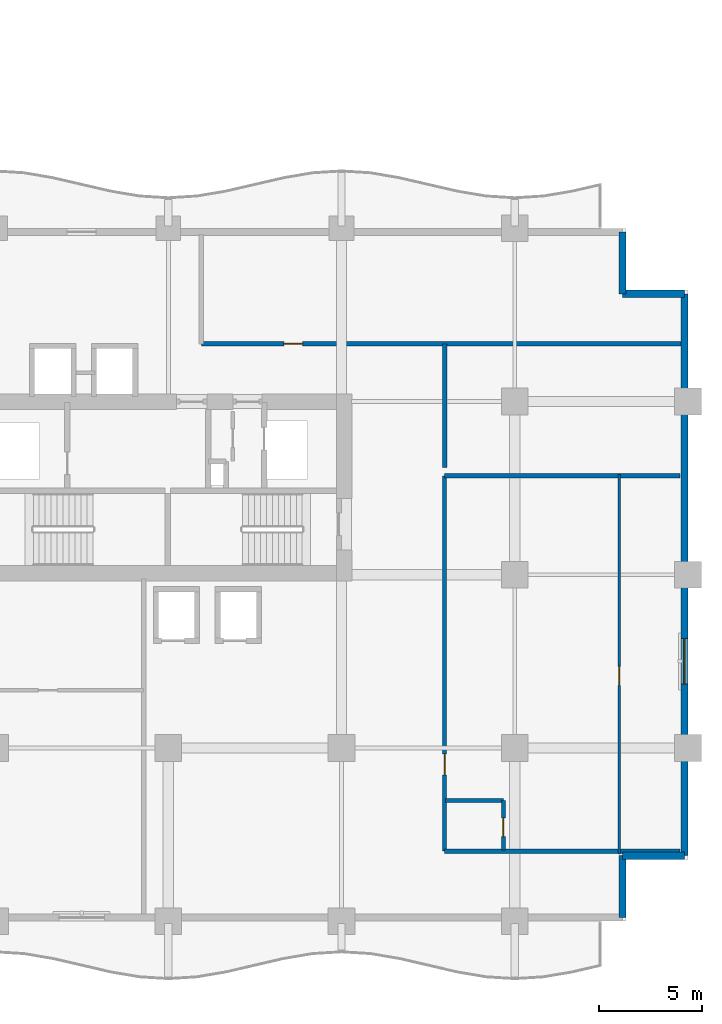
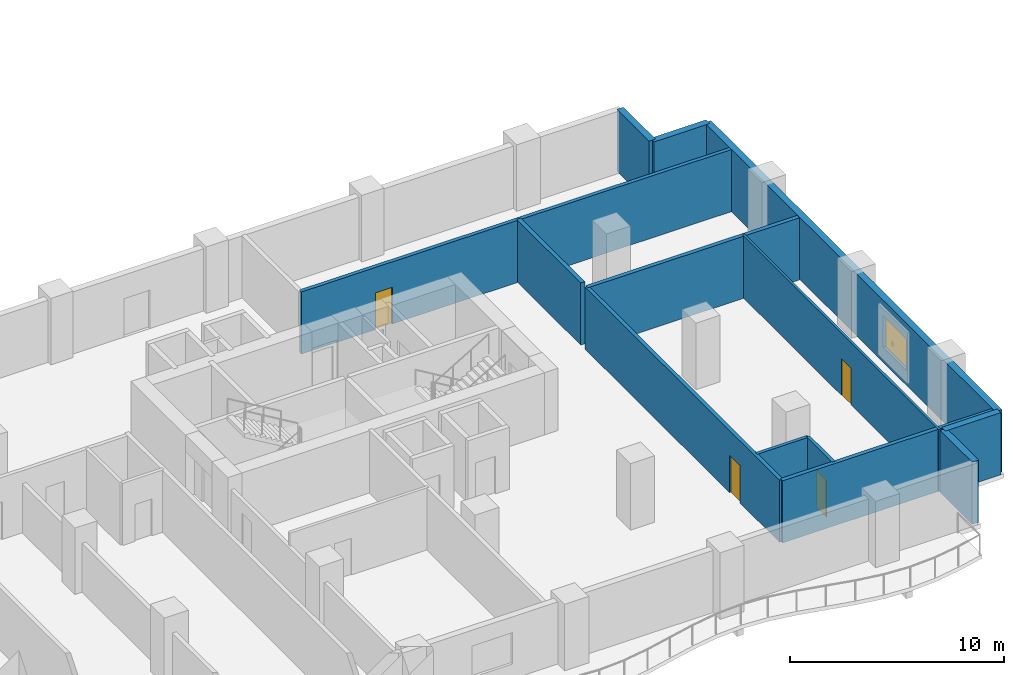
# One storey, part 12 of 20: 13 walls, 4 doors, 1 window, 5 openings.
"""IFC4 building model written with IfcOpenShell, lengths in metres."""

from ifc_helpers import new_model, si_unit, direction, frame, frame_2d, origin, place, context, subcontext, project, spatial, rectangle, extrude, material, layer, layer_set, type_object, element, fill, save


model = new_model("IFC4")

# Units and contexts
model_context = context("Model", 3, precision=1e-05, world=origin(), true_north=direction((0.0, 1.0)))
body_context = subcontext(model_context, "Body", "Model", "MODEL_VIEW")
ifc_project = project(units=[si_unit("LENGTHUNIT", "METRE"), si_unit("AREAUNIT", "SQUARE_METRE"), si_unit("VOLUMEUNIT", "CUBIC_METRE"), si_unit("PLANEANGLEUNIT", "RADIAN"), si_unit("MASSUNIT", "GRAM", prefix="KILO")], contexts=[model_context])

# Site, building, storey
site_placement = place(None, origin())
site = spatial("IfcSite", under=ifc_project, at=site_placement, CompositionType="ELEMENT")
building_placement = place(site_placement, origin())
building = spatial("IfcBuilding", under=site, at=building_placement, Name="Koriwani Terraces Tower", CompositionType="ELEMENT")
storey_placement = place(building_placement, frame((0.0, 0.0, 126.60009765625)))
storey = spatial("IfcBuildingStorey", under=building, at=storey_placement, Name="L30", CompositionType="ELEMENT", Elevation=126.60009765625)

# Wall, opening, door
ifc_material_1 = material(Name="Autoclaved Cellular Concrete Blockwork", Category="masonry")
ifc_layer_1 = layer(ifc_material_1, 0.199951171875, Name="Autoclaved Cellular Concrete Blockwork")
ifc_layer_set_1 = layer_set([ifc_layer_1], Name="Autoclaved Cellular Concrete Blockwork")
wall_type_1 = type_object("IfcWallType", Name="WALL_CORRIDOR_200", PredefinedType="PARTITIONING", material=ifc_layer_set_1)
wall_1_placement = place(storey_placement, frame((63.800048828125, 3.39990234375, 0.0), z_axis=(0.0, 0.0, 1.0), x_axis=(0.0, 1.0, 0.0)))
wall_1 = element("IfcWall", 1, at=wall_1_placement, inside=storey, type_object=wall_type_1, Name="L30 Interior Wall WGB-L30-SETIP-W", PredefinedType="PARTITIONING", context=body_context, shape_type="SweptSolid", body=[
    extrude(rectangle(XDim=18.2001953125, YDim=0.199951171875, at=frame_2d((9.10009765625, 0.0))), origin(), (0.0, 0.0, 1.0), 3.5498046875),
])
opening_1_placement = place(wall_1_placement, frame((3.699951171875, 0.0, 0.0)))
opening_1 = element("IfcOpeningElement", 2, at=opening_1_placement, cuts=wall_1, Name="Opening D-05", PredefinedType="OPENING", context=body_context, shape_type="SweptSolid", body=[
    extrude(rectangle(XDim=1.0, YDim=2.14990234375, at=frame_2d((0.5, 1.074951171875))), frame((0.0, 0.10986328125, 0.0), z_axis=(0.0, -1.0, 0.0), x_axis=(1.0, 0.0, 0.0)), (0.0, 0.0, 1.0), 0.219970703125),
])
ifc_material_2 = material(Name="Architectural Oak Fire Door", Category="wood")
door_type_1 = type_object("IfcDoorType", Name="DOOR_SUITE_ENTRY_1000X2150", OperationType="NOTDEFINED", PredefinedType="DOOR", material=ifc_material_2)
door_1_placement = place(opening_1_placement, origin())
door_1 = element("IfcDoor", 3, at=door_1_placement, inside=storey, type_object=door_type_1, Name="Ambassador Suite 30ET Entrance Door", OperationType="SINGLE_SWING_LEFT", OverallHeight=2.14990234375, OverallWidth=1.0, PredefinedType="DOOR", context=body_context, shape_type="SweptSolid", body=[
    extrude(rectangle(XDim=1.0, YDim=2.14990234375, at=frame_2d((0.5, 1.074951171875))), frame((0.0, 0.02490234375, 0.0), z_axis=(0.0, -1.0, 0.0), x_axis=(1.0, 0.0, 0.0)), (0.0, 0.0, 1.0), 0.050048828125),
])
fill(opening_1, door_1)

wall_2_placement = place(storey_placement, frame((52.0, 28.0, 0.0), z_axis=(0.0, 0.0, 1.0), x_axis=(1.0, 0.0, 0.0)))
wall_2 = element("IfcWall", 4, at=wall_2_placement, inside=storey, type_object=wall_type_1, Name="L30 Interior Wall WSET2-S-L30", PredefinedType="PARTITIONING", context=body_context, shape_type="SweptSolid", body=[
    extrude(rectangle(XDim=23.25, YDim=0.199951171875, at=frame_2d((11.625, 0.0))), origin(), (0.0, 0.0, 1.0), 3.5498046875),
])
opening_2_placement = place(wall_2_placement, frame((4.0, 0.0, 0.0)))
opening_2 = element("IfcOpeningElement", 5, at=opening_2_placement, cuts=wall_2, Name="Opening D-06", PredefinedType="OPENING", context=body_context, shape_type="SweptSolid", body=[
    extrude(rectangle(XDim=0.919921875, YDim=2.10009765625, at=frame_2d((0.4599609375, 1.050048828125))), frame((0.0, 0.10986328125, 0.0), z_axis=(0.0, -1.0, 0.0), x_axis=(1.0, 0.0, 0.0)), (0.0, 0.0, 1.0), 0.219970703125),
])
door_type_2 = type_object("IfcDoorType", Name="DOOR_ROOM_INT_920X2100", OperationType="NOTDEFINED", PredefinedType="DOOR", material=ifc_material_2)
door_2_placement = place(opening_2_placement, origin())
door_2 = element("IfcDoor", 6, at=door_2_placement, inside=storey, type_object=door_type_2, Name="L30 East Court Salon Door", OperationType="SINGLE_SWING_RIGHT", OverallHeight=2.10009765625, OverallWidth=0.919921875, PredefinedType="DOOR", context=body_context, shape_type="SweptSolid", body=[
    extrude(rectangle(XDim=0.919921875, YDim=2.10009765625, at=frame_2d((0.4599609375, 1.050048828125))), frame((0.0, 0.02490234375, 0.0), z_axis=(0.0, -1.0, 0.0), x_axis=(1.0, 0.0, 0.0)), (0.0, 0.0, 1.0), 0.050048828125),
])
fill(opening_2, door_2)

# Walls
ifc_layer_2 = layer(ifc_material_1, 0.219970703125, Name="Autoclaved Cellular Concrete Blockwork")
ifc_layer_set_2 = layer_set([ifc_layer_2], Name="Autoclaved Cellular Concrete Blockwork")
wall_type_2 = type_object("IfcWallType", Name="WALL_DEMISING_220", PredefinedType="PARTITIONING", material=ifc_layer_set_2)
for number, where, z_axis, x_axis, name in (
    (7, (63.800048828125, 3.39990234375, 0.0), (0.0, 0.0, 1.0), (1.0, 0.0, 0.0), "L30 Interior Wall WGB-L30-SETIP-S"),
    (8, (63.800048828125, 21.60009765625, 0.0), (0.0, 0.0, 1.0), (1.0, 0.0, 0.0), "L30 Interior Wall WGB-L30-SETIP-N"),
):
    element("IfcWall", number, at=place(storey_placement, frame(where, z_axis=z_axis, x_axis=x_axis)), inside=storey, type_object=wall_type_2, Name=name, PredefinedType="PARTITIONING", context=body_context, shape_type="SweptSolid", body=[
        extrude(rectangle(XDim=11.419921875, YDim=0.219970703125, at=frame_2d((5.7099609375, 0.0))), origin(), (0.0, 0.0, 1.0), 3.5498046875),
    ])
wall_3_placement = place(storey_placement, frame((63.800048828125, 22.0, 0.0), z_axis=(0.0, 0.0, 1.0), x_axis=(0.0, 1.0, 0.0)))
element("IfcWall", 9, at=wall_3_placement, inside=storey, type_object=wall_type_2, Name="L30 Interior Wall WSET2-SW-L30", PredefinedType="PARTITIONING", context=body_context, shape_type="SweptSolid", body=[
    extrude(rectangle(XDim=6.0, YDim=0.219970703125, at=frame_2d((3.0, 0.0))), origin(), (0.0, 0.0, 1.0), 3.5498046875),
])
ifc_material_3 = material(Name="Concrete C50/60", Category="concrete")
ifc_layer_3 = layer(ifc_material_3, 0.35009765625, Name="Concrete C50/60")
ifc_layer_set_3 = layer_set([ifc_layer_3], Name="Concrete C50/60")
wall_type_3 = type_object("IfcWallType", Name="WALL_EXT_BRUTALIST_350", PredefinedType="STANDARD", material=ifc_layer_set_3)
for number, where, z_axis, x_axis, name in (
    (10, (72.425048828125, 33.425048828125, 0.0), (0.0, 0.0, 1.0), (0.0, -1.0, 0.0), "L30 Fair-Faced Brutalist Exterior Wall (N10)"),
    (11, (72.425048828125, 30.425048828125, 0.0), (0.0, 0.0, 1.0), (1.0, 0.0, 0.0), "L30 Fair-Faced Brutalist Exterior Wall (N11)"),
):
    element("IfcWall", number, at=place(storey_placement, frame(where, z_axis=z_axis, x_axis=x_axis)), inside=storey, type_object=wall_type_3, Name=name, PredefinedType="STANDARD", context=body_context, shape_type="SweptSolid", body=[
        extrude(rectangle(XDim=3.0, YDim=0.35009765625, at=frame_2d((1.5, 0.0))), origin(), (0.0, 0.0, 1.0), 3.5498046875),
    ])

# Wall, opening, window
wall_4_placement = place(storey_placement, frame((75.425048828125, 30.425048828125, 0.0), z_axis=(0.0, 0.0, 1.0), x_axis=(0.0, -1.0, 0.0)))
wall_4 = element("IfcWall", 12, at=wall_4_placement, inside=storey, type_object=wall_type_3, Name="L30 Fair-Faced Brutalist Exterior Wall (E_TIP)", PredefinedType="STANDARD", context=body_context, shape_type="SweptSolid", body=[
    extrude(rectangle(XDim=27.25, YDim=0.35009765625, at=frame_2d((13.625, 0.0))), origin(), (0.0, 0.0, 1.0), 3.5498046875),
])
opening_3_placement = place(wall_4_placement, frame((16.72509765625, 0.0, 0.85009765625)))
opening_3 = element("IfcOpeningElement", 13, at=opening_3_placement, cuts=wall_4, Name="Opening W-01", PredefinedType="OPENING", context=body_context, shape_type="SweptSolid", body=[
    extrude(rectangle(XDim=2.199951171875, YDim=1.800048828125, at=frame_2d((1.10009765625, 0.89990234375))), frame((0.0, 0.18505859375, 0.0), z_axis=(0.0, -1.0, 0.0), x_axis=(1.0, 0.0, 0.0)), (0.0, 0.0, 1.0), 0.3701171875),
])
ifc_material_4 = material(Name="Tempered Laminated Low-E Glass", Category="glass")
window_type = type_object("IfcWindowType", Name="WIN_HOTEL_STD_2200X1800", PartitioningType="DOUBLE_PANEL_VERTICAL", PredefinedType="WINDOW", material=ifc_material_4)
window_placement = place(opening_3_placement, origin())
window = element("IfcWindow", 14, at=window_placement, inside=storey, type_object=window_type, Name="L30 Exterior Window (E_TIP-3)", OverallHeight=1.800048828125, OverallWidth=2.199951171875, PartitioningType="SINGLE_PANEL", PredefinedType="WINDOW", context=body_context, shape_type="SweptSolid", body=[
    extrude(rectangle(XDim=2.199951171875, YDim=1.800048828125, at=frame_2d((1.10009765625, 0.89990234375))), frame((0.0, 0.030029296875, 0.0), z_axis=(0.0, -1.0, 0.0), x_axis=(1.0, 0.0, 0.0)), (0.0, 0.0, 1.0), 0.06005859375),
])
fill(opening_3, window)

# Walls
for number, where, z_axis, x_axis, name in (
    (15, (75.425048828125, 3.175048828125, 0.0), (0.0, 0.0, 1.0), (-1.0, 0.0, 0.0), "L30 Fair-Faced Brutalist Exterior Wall (N13)"),
    (16, (72.425048828125, 3.175048828125, 0.0), (0.0, 0.0, 1.0), (0.0, -1.0, 0.0), "L30 Fair-Faced Brutalist Exterior Wall (N14)"),
):
    element("IfcWall", number, at=place(storey_placement, frame(where, z_axis=z_axis, x_axis=x_axis)), inside=storey, type_object=wall_type_3, Name=name, PredefinedType="STANDARD", context=body_context, shape_type="SweptSolid", body=[
        extrude(rectangle(XDim=3.0, YDim=0.35009765625, at=frame_2d((1.5, 0.0))), origin(), (0.0, 0.0, 1.0), 3.5498046875),
    ])

# Wall, opening, door
ifc_material_5 = material(Name="Fire-Rated Acoustic Gypsum Partition", Category="masonry")
ifc_layer_4 = layer(ifc_material_5, 0.125, Name="Fire-Rated Acoustic Gypsum Partition")
ifc_layer_set_4 = layer_set([ifc_layer_4], Name="Fire-Rated Acoustic Gypsum Partition")
wall_type_4 = type_object("IfcWallType", Name="WALL_INT_125", PredefinedType="PARTITIONING", material=ifc_layer_set_4)
wall_5_placement = place(storey_placement, frame((72.27001953125, 3.25, 0.0), z_axis=(0.0, 0.0, 1.0), x_axis=(0.0, 1.0, 0.0)))
wall_5 = element("IfcWall", 17, at=wall_5_placement, inside=storey, type_object=wall_type_4, Name="L30 Interior Wall WGB-L30-SETIP-BD", PredefinedType="PARTITIONING", context=body_context, shape_type="SweptSolid", body=[
    extrude(rectangle(XDim=18.39990234375, YDim=0.125, at=frame_2d((9.199951171875, 0.0))), origin(), (0.0, 0.0, 1.0), 3.5498046875),
])
opening_4_placement = place(wall_5_placement, frame((8.18994140625, 0.0, 0.0)))
opening_4 = element("IfcOpeningElement", 18, at=opening_4_placement, cuts=wall_5, Name="Opening D-06", PredefinedType="OPENING", context=body_context, shape_type="SweptSolid", body=[
    extrude(rectangle(XDim=0.919921875, YDim=2.10009765625, at=frame_2d((0.4599609375, 1.050048828125))), frame((0.0, 0.072509765625, 0.0), z_axis=(0.0, -1.0, 0.0), x_axis=(1.0, 0.0, 0.0)), (0.0, 0.0, 1.0), 0.14501953125),
])
door_3_placement = place(opening_4_placement, origin())
door_3 = element("IfcDoor", 19, at=door_3_placement, inside=storey, type_object=door_type_2, Name="Ambassador Suite 30ET Master Suite Door", OperationType="SINGLE_SWING_LEFT", OverallHeight=2.10009765625, OverallWidth=0.919921875, PredefinedType="DOOR", context=body_context, shape_type="SweptSolid", body=[
    extrude(rectangle(XDim=0.919921875, YDim=2.10009765625, at=frame_2d((0.4599609375, 1.050048828125))), frame((0.0, 0.02490234375, 0.0), z_axis=(0.0, -1.0, 0.0), x_axis=(1.0, 0.0, 0.0)), (0.0, 0.0, 1.0), 0.050048828125),
])
fill(opening_4, door_3)

ifc_layer_5 = layer(ifc_material_5, 0.179931640625, Name="Fire-Rated Acoustic Gypsum Partition")
ifc_layer_set_5 = layer_set([ifc_layer_5], Name="Fire-Rated Acoustic Gypsum Partition")
wall_type_5 = type_object("IfcWallType", Name="WALL_PLUMBING_180", PredefinedType="PLUMBINGWALL", material=ifc_layer_set_5)
wall_6_placement = place(storey_placement, frame((66.64990234375, 3.449951171875, 0.0), z_axis=(0.0, 0.0, 1.0), x_axis=(0.0, 1.0, 0.0)))
wall_6 = element("IfcWall", 20, at=wall_6_placement, inside=storey, type_object=wall_type_5, Name="L30 Interior Wall WGB-L30-SETIP-SVB", PredefinedType="PLUMBINGWALL", context=body_context, shape_type="SweptSolid", body=[
    extrude(rectangle(XDim=2.400146484375, YDim=0.179931640625, at=frame_2d((1.2001953125, 0.0))), origin(), (0.0, 0.0, 1.0), 3.5498046875),
])
opening_5_placement = place(wall_6_placement, frame((0.64990234375, 0.0, 0.0)))
opening_5 = element("IfcOpeningElement", 21, at=opening_5_placement, cuts=wall_6, Name="Opening D-07", PredefinedType="OPENING", context=body_context, shape_type="SweptSolid", body=[
    extrude(rectangle(XDim=0.89990234375, YDim=2.10009765625, at=frame_2d((0.449951171875, 1.050048828125))), frame((0.0, 0.10009765625, 0.0), z_axis=(0.0, -1.0, 0.0), x_axis=(1.0, 0.0, 0.0)), (0.0, 0.0, 1.0), 0.199951171875),
])
door_type_3 = type_object("IfcDoorType", Name="DOOR_BATH_INT_900X2100", OperationType="NOTDEFINED", PredefinedType="DOOR", material=ifc_material_2)
door_4_placement = place(opening_5_placement, origin())
door_4 = element("IfcDoor", 22, at=door_4_placement, inside=storey, type_object=door_type_3, Name="Ambassador Suite 30ET Bathroom Door", OperationType="SINGLE_SWING_RIGHT", OverallHeight=2.10009765625, OverallWidth=0.89990234375, PredefinedType="DOOR", context=body_context, shape_type="SweptSolid", body=[
    extrude(rectangle(XDim=0.89990234375, YDim=2.10009765625, at=frame_2d((0.449951171875, 1.050048828125))), frame((0.0, 0.02490234375, 0.0), z_axis=(0.0, -1.0, 0.0), x_axis=(1.0, 0.0, 0.0)), (0.0, 0.0, 1.0), 0.050048828125),
])
fill(opening_5, door_4)

# Wall
wall_7_placement = place(storey_placement, frame((63.85009765625, 5.85009765625, 0.0), z_axis=(0.0, 0.0, 1.0), x_axis=(1.0, 0.0, 0.0)))
element("IfcWall", 23, at=wall_7_placement, inside=storey, type_object=wall_type_5, Name="L30 Interior Wall WGB-L30-SETIP-SV2", PredefinedType="PLUMBINGWALL", context=body_context, shape_type="SweptSolid", body=[
    extrude(rectangle(XDim=2.7998046875, YDim=0.179931640625, at=frame_2d((1.39990234375, 0.0))), origin(), (0.0, 0.0, 1.0), 3.5498046875),
])

save(model, "model.ifc")
